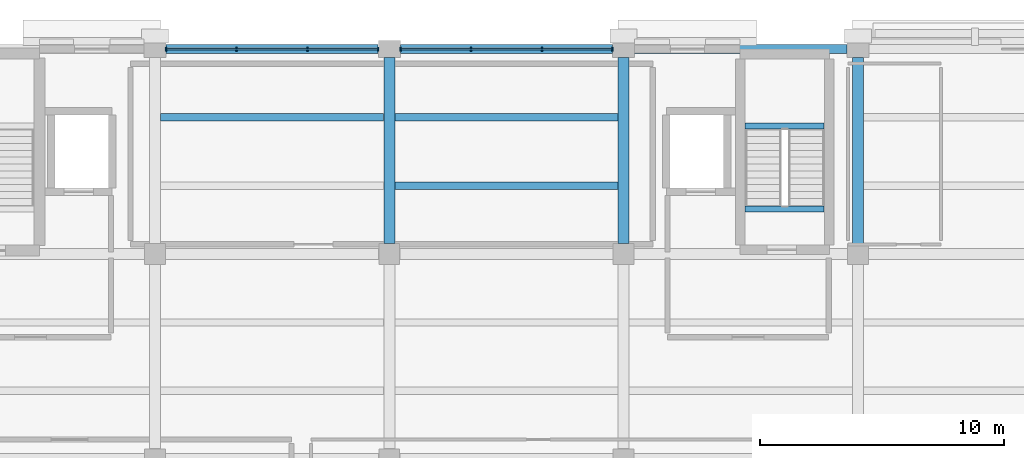
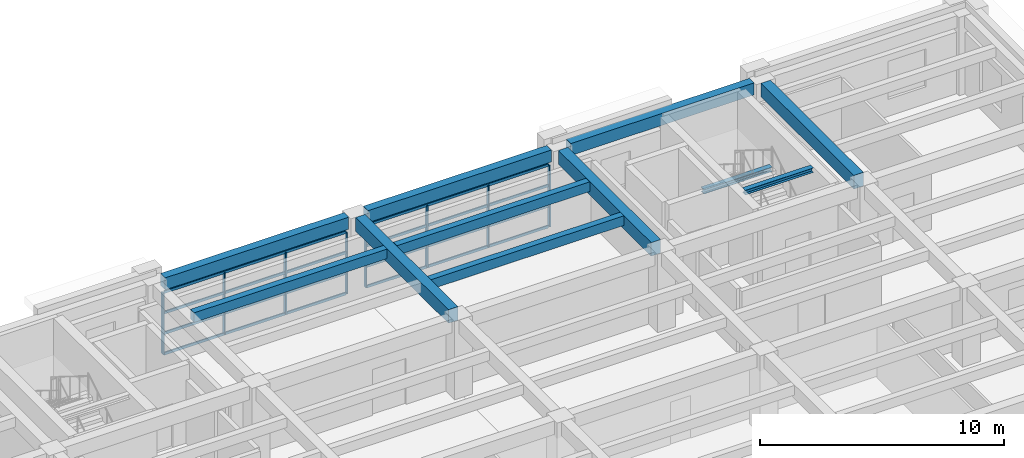
# One storey, part 4 of 17: 16 members, 11 beams, 2 elements without a shape of their own.
"""IFC4 building model written with IfcOpenShell, lengths in metres."""

from ifc_helpers import new_model, si_unit, direction, frame, origin, origin_2d, place, context, subcontext, project, spatial, rectangle, i_section, extrude, material, layer, layer_set, material_profile, profile_set, type_object, element, aggregate, save


model = new_model("IFC4")

# Units and contexts
model_context = context("Model", 3, precision=1e-05, world=origin(), true_north=direction((0.0, 1.0)))
body_context = subcontext(model_context, "Body", "Model", "MODEL_VIEW")
ifc_project = project(units=[si_unit("LENGTHUNIT", "METRE"), si_unit("AREAUNIT", "SQUARE_METRE"), si_unit("VOLUMEUNIT", "CUBIC_METRE"), si_unit("PLANEANGLEUNIT", "RADIAN"), si_unit("MASSUNIT", "GRAM", prefix="KILO")], contexts=[model_context])

# Site, building, storey
site_placement = place(None, origin())
site = spatial("IfcSite", under=ifc_project, at=site_placement, CompositionType="ELEMENT")
building_placement = place(site_placement, origin())
building = spatial("IfcBuilding", under=site, at=building_placement, Name="Bempovik Park Faculty of Sciences", CompositionType="ELEMENT")
storey_placement = place(building_placement, frame((0.0, 0.0, 22.5)))
storey = spatial("IfcBuildingStorey", under=building, at=storey_placement, Name="L05", CompositionType="ELEMENT", Elevation=22.5)

# Beams
ifc_material_1 = material(Name="Concrete C35/45", Category="concrete")
ifc_material_profile_1 = material_profile(ifc_material_1, rectangle(XDim=0.3798828125, YDim=0.60009765625, at=origin_2d()), Name="RC 380x600")
ifc_profile_set_1 = profile_set([ifc_material_profile_1], Name="Concrete C35/45")
beam_type_1 = type_object("IfcBeamType", Name="B-032 RC 380x600", PredefinedType="SPANDREL", material=ifc_profile_set_1)
for number, where, z_axis, x_axis, name in (
    (1, (79.656005859375, 119.39990234375, 3.6201171875), (1.0, 0.0, 0.0), (0.0, 1.0, 0.0), "L05 Beam X (79.2-88.8, y=119.4)"),
    (2, (89.256103515625, 119.39990234375, 3.6201171875), (1.0, 0.0, 0.0), (0.0, 1.0, 0.0), "L05 Beam X (88.8-98.4, y=119.4)"),
    (3, (98.85595703125, 119.39990234375, 3.6201171875), (1.0, 0.0, 0.0), (0.0, 1.0, 0.0), "L05 Beam X (98.4-108.0, y=119.4)"),
):
    element("IfcBeam", number, at=place(storey_placement, frame(where, z_axis=z_axis, x_axis=x_axis)), inside=storey, type_object=beam_type_1, Name=name, PredefinedType="SPANDREL", context=body_context, shape_type="SweptSolid", body=[
        extrude(rectangle(XDim=0.3798828125, YDim=0.60009765625, at=origin_2d()), origin(), (0.0, 0.0, 1.0), 8.68798828125),
    ])
ifc_material_profile_2 = material_profile(ifc_material_1, rectangle(XDim=0.300048828125, YDim=0.47998046875, at=origin_2d()), Name="RC 300x480")
ifc_profile_set_2 = profile_set([ifc_material_profile_2], Name="Concrete C35/45")
beam_type_2 = type_object("IfcBeamType", Name="B-039 RC 300x480", PredefinedType="JOIST", material=ifc_profile_set_2)
beam_placement = place(storey_placement, frame((79.430908203125, 116.60009765625, 3.679931640625), z_axis=(1.0, 0.0, 0.0), x_axis=(0.0, 1.0, 0.0)))
element("IfcBeam", 4, at=beam_placement, inside=storey, type_object=beam_type_2, Name="L05 Secondary Joist (79.2-88.8, y=116.60)", PredefinedType="JOIST", context=body_context, shape_type="SweptSolid", body=[
    extrude(rectangle(XDim=0.300048828125, YDim=0.47998046875, at=origin_2d()), origin(), (0.0, 0.0, 1.0), 9.13818359375),
])
for number, where, z_axis, x_axis, name in (
    (5, (89.031005859375, 113.800048828125, 3.679931640625), (1.0, 0.0, 0.0), (0.0, 1.0, 0.0), "L05 Secondary Joist (88.8-98.4, y=113.80)"),
    (6, (89.031005859375, 116.60009765625, 3.679931640625), (1.0, 0.0, 0.0), (0.0, 1.0, 0.0), "L05 Secondary Joist (88.8-98.4, y=116.60)"),
):
    element("IfcBeam", number, at=place(storey_placement, frame(where, z_axis=z_axis, x_axis=x_axis)), inside=storey, type_object=beam_type_2, Name=name, PredefinedType="JOIST", context=body_context, shape_type="SweptSolid", body=[
        extrude(rectangle(XDim=0.300048828125, YDim=0.47998046875, at=origin_2d()), origin(), (0.0, 0.0, 1.0), 9.137939453125),
    ])
ifc_material_2 = material(Name="Steel S355", Category="steel")
ifc_material_profile_3 = material_profile(ifc_material_2, i_section(OverallWidth=0.239990234375, OverallDepth=0.22998046875, WebThickness=0.007568359375, FlangeThickness=0.011962890625, at=origin_2d()), Name="HEA 240")
ifc_profile_set_3 = profile_set([ifc_material_profile_3], Name="Steel S355")
beam_type_3 = type_object("IfcBeamType", Name="B-070 HEA 240", PredefinedType="BEAM", material=ifc_profile_set_3)
for number, where, z_axis, x_axis, name in (
    (7, (103.381103515625, 116.24365234375, 1.784912109375), (1.0, 0.0, 0.0), (0.0, 1.0, 0.0), "L05 ST-2 Half-Landing Trimmer Beam"),
    (8, (103.381103515625, 112.85009765625, 3.804931640625), (1.0, 0.0, 0.0), (0.0, 1.0, 0.0), "L06 ST-2 Floor Landing Trimmer Beam"),
):
    element("IfcBeam", number, at=place(storey_placement, frame(where, z_axis=z_axis, x_axis=x_axis)), inside=storey, type_object=beam_type_3, Name=name, PredefinedType="BEAM", context=body_context, shape_type="SweptSolid", body=[
        extrude(i_section(OverallWidth=0.239990234375, OverallDepth=0.22998046875, WebThickness=0.007568359375, FlangeThickness=0.011962890625, at=origin_2d()), origin(), (0.0, 0.0, 1.0), 3.23779296875),
    ])
ifc_material_profile_4 = material_profile(ifc_material_1, rectangle(XDim=0.449951171875, YDim=0.679931640625, at=origin_2d()), Name="RC 450x680")
ifc_profile_set_4 = profile_set([ifc_material_profile_4], Name="Concrete C35/45")
beam_type_4 = type_object("IfcBeamType", Name="B-113 RC 450x680", PredefinedType="BEAM", material=ifc_profile_set_4)
for number, where, z_axis, x_axis, name in (
    (9, (88.800048828125, 111.430908203125, 3.580078125), (0.0, 1.0, 0.0), (-1.0, 0.0, 0.0), "L05 Beam Y (x=88.8, 111.0-119.4)"),
    (10, (98.39990234375, 111.430908203125, 3.580078125), (0.0, 1.0, 0.0), (-1.0, 0.0, 0.0), "L05 Beam Y (x=98.4, 111.0-119.4)"),
    (11, (108.0, 111.430908203125, 3.580078125), (0.0, 1.0, 0.0), (-1.0, 0.0, 0.0), "L05 Beam Y (x=108.0, 111.0-119.4)"),
):
    element("IfcBeam", number, at=place(storey_placement, frame(where, z_axis=z_axis, x_axis=x_axis)), inside=storey, type_object=beam_type_4, Name=name, PredefinedType="BEAM", context=body_context, shape_type="SweptSolid", body=[
        extrude(rectangle(XDim=0.449951171875, YDim=0.679931640625, at=origin_2d()), origin(), (0.0, 0.0, 1.0), 7.613037109375),
    ])

# Curtain wall, members
ifc_material_3 = material(Name="Tempered laminated low-E glass", Category="glass")
ifc_layer = layer(ifc_material_3, 0.159912109375)
ifc_layer_set = layer_set([ifc_layer], Name="Tempered laminated low-E glass")
curtain_wall_type = type_object("IfcCurtainWallType", Name="CW-24 Curtain 7000x3500", PredefinedType="USERDEFINED", material=ifc_layer_set)
curtain_wall_1_placement = place(storey_placement, origin())
curtain_wall_1 = element("IfcCurtainWall", 12, at=curtain_wall_1_placement, inside=storey, type_object=curtain_wall_type, Name="L05 Unitised Curtain Wall (119.4,79.2)", ObjectType="UNITISED CURTAIN WALL", PredefinedType="USERDEFINED")
ifc_material_4 = material(Name="Anodised architectural bronze", Category="aluminium")
ifc_material_profile_5 = material_profile(ifc_material_4, rectangle(XDim=0.06005859375, YDim=0.159912109375, at=origin_2d()), Name="ALU-M 60x160")
ifc_profile_set_5 = profile_set([ifc_material_profile_5], Name="Anodised architectural bronze")
member_type_1 = type_object("IfcMemberType", Name="ML-21 ALU-M 60x160", PredefinedType="MULLION", material=ifc_profile_set_5)
member_1_placement = place(storey_placement, frame((79.652099609375, 119.39990234375, 0.0), z_axis=(0.0, 0.0, 1.0), x_axis=(1.0, 0.0, 0.0)))
member_1 = element("IfcMember", 13, at=member_1_placement, type_object=member_type_1, Name="CW-BAY-L05-1194-792 Mullion 0", PredefinedType="MULLION", context=body_context, shape_type="SweptSolid", body=[
    extrude(rectangle(XDim=0.06005859375, YDim=0.159912109375, at=origin_2d()), origin(), (0.0, 0.0, 1.0), 3.080078125),
])
member_2_placement = place(storey_placement, frame((82.55078125, 119.39990234375, 0.0), z_axis=(0.0, 0.0, 1.0), x_axis=(1.0, 0.0, 0.0)))
member_2 = element("IfcMember", 14, at=member_2_placement, type_object=member_type_1, Name="CW-BAY-L05-1194-792 Mullion 1", PredefinedType="MULLION", context=body_context, shape_type="SweptSolid", body=[
    extrude(rectangle(XDim=0.06005859375, YDim=0.159912109375, at=origin_2d()), origin(), (0.0, 0.0, 1.0), 3.080078125),
])
member_3_placement = place(storey_placement, frame((85.44921875, 119.39990234375, 0.0), z_axis=(0.0, 0.0, 1.0), x_axis=(1.0, 0.0, 0.0)))
member_3 = element("IfcMember", 15, at=member_3_placement, type_object=member_type_1, Name="CW-BAY-L05-1194-792 Mullion 2", PredefinedType="MULLION", context=body_context, shape_type="SweptSolid", body=[
    extrude(rectangle(XDim=0.06005859375, YDim=0.159912109375, at=origin_2d()), origin(), (0.0, 0.0, 1.0), 3.080078125),
])
member_4_placement = place(storey_placement, frame((88.347900390625, 119.39990234375, 0.0), z_axis=(0.0, 0.0, 1.0), x_axis=(1.0, 0.0, 0.0)))
member_4 = element("IfcMember", 16, at=member_4_placement, type_object=member_type_1, Name="CW-BAY-L05-1194-792 Mullion 3", PredefinedType="MULLION", context=body_context, shape_type="SweptSolid", body=[
    extrude(rectangle(XDim=0.06005859375, YDim=0.159912109375, at=origin_2d()), origin(), (0.0, 0.0, 1.0), 3.080078125),
])

curtain_wall_2_placement = place(storey_placement, origin())
curtain_wall_2 = element("IfcCurtainWall", 17, at=curtain_wall_2_placement, inside=storey, type_object=curtain_wall_type, Name="L05 Unitised Curtain Wall (119.4,88.8)", ObjectType="UNITISED CURTAIN WALL", PredefinedType="USERDEFINED")
member_5_placement = place(storey_placement, frame((89.251953125, 119.39990234375, 0.0), z_axis=(0.0, 0.0, 1.0), x_axis=(1.0, 0.0, 0.0)))
member_5 = element("IfcMember", 18, at=member_5_placement, type_object=member_type_1, Name="CW-BAY-L05-1194-888 Mullion 0", PredefinedType="MULLION", context=body_context, shape_type="SweptSolid", body=[
    extrude(rectangle(XDim=0.06005859375, YDim=0.159912109375, at=origin_2d()), origin(), (0.0, 0.0, 1.0), 3.080078125),
])
member_6_placement = place(storey_placement, frame((92.150634765625, 119.39990234375, 0.0), z_axis=(0.0, 0.0, 1.0), x_axis=(1.0, 0.0, 0.0)))
member_6 = element("IfcMember", 19, at=member_6_placement, type_object=member_type_1, Name="CW-BAY-L05-1194-888 Mullion 1", PredefinedType="MULLION", context=body_context, shape_type="SweptSolid", body=[
    extrude(rectangle(XDim=0.06005859375, YDim=0.159912109375, at=origin_2d()), origin(), (0.0, 0.0, 1.0), 3.080078125),
])
member_7_placement = place(storey_placement, frame((95.04931640625, 119.39990234375, 0.0), z_axis=(0.0, 0.0, 1.0), x_axis=(1.0, 0.0, 0.0)))
member_7 = element("IfcMember", 20, at=member_7_placement, type_object=member_type_1, Name="CW-BAY-L05-1194-888 Mullion 2", PredefinedType="MULLION", context=body_context, shape_type="SweptSolid", body=[
    extrude(rectangle(XDim=0.06005859375, YDim=0.159912109375, at=origin_2d()), origin(), (0.0, 0.0, 1.0), 3.080078125),
])
member_8_placement = place(storey_placement, frame((97.947998046875, 119.39990234375, 0.0), z_axis=(0.0, 0.0, 1.0), x_axis=(1.0, 0.0, 0.0)))
member_8 = element("IfcMember", 21, at=member_8_placement, type_object=member_type_1, Name="CW-BAY-L05-1194-888 Mullion 3", PredefinedType="MULLION", context=body_context, shape_type="SweptSolid", body=[
    extrude(rectangle(XDim=0.06005859375, YDim=0.159912109375, at=origin_2d()), origin(), (0.0, 0.0, 1.0), 3.080078125),
])

# Member
ifc_material_profile_6 = material_profile(ifc_material_4, rectangle(XDim=0.06005859375, YDim=0.1298828125, at=origin_2d()), Name="ALU-T 60x130")
ifc_profile_set_6 = profile_set([ifc_material_profile_6], Name="Anodised architectural bronze")
member_type_2 = type_object("IfcMemberType", Name="TR-25 ALU-T 60x130", PredefinedType="USERDEFINED", material=ifc_profile_set_6)
member_9_placement = place(storey_placement, frame((79.69189453125, 119.39990234375, 0.0), z_axis=(1.0, 0.0, 0.0), x_axis=(0.0, 1.0, 0.0)))
member_9 = element("IfcMember", 22, at=member_9_placement, type_object=member_type_2, Name="CW-BAY-L05-1194-792 Transom 0", ObjectType="TRANSOM", PredefinedType="USERDEFINED", context=body_context, shape_type="SweptSolid", body=[
    extrude(rectangle(XDim=0.06005859375, YDim=0.1298828125, at=origin_2d()), origin(), (0.0, 0.0, 1.0), 8.6162109375),
])

member_10_placement = place(storey_placement, frame((79.69189453125, 119.39990234375, 1.026611328125), z_axis=(1.0, 0.0, 0.0), x_axis=(0.0, 1.0, 0.0)))
member_10 = element("IfcMember", 23, at=member_10_placement, type_object=member_type_2, Name="CW-BAY-L05-1194-792 Transom 1", ObjectType="TRANSOM", PredefinedType="USERDEFINED", context=body_context, shape_type="SweptSolid", body=[
    extrude(rectangle(XDim=0.06005859375, YDim=0.1298828125, at=origin_2d()), origin(), (0.0, 0.0, 1.0), 8.6162109375),
])

member_11_placement = place(storey_placement, frame((79.69189453125, 119.39990234375, 2.05322265625), z_axis=(1.0, 0.0, 0.0), x_axis=(0.0, 1.0, 0.0)))
member_11 = element("IfcMember", 24, at=member_11_placement, type_object=member_type_2, Name="CW-BAY-L05-1194-792 Transom 2", ObjectType="TRANSOM", PredefinedType="USERDEFINED", context=body_context, shape_type="SweptSolid", body=[
    extrude(rectangle(XDim=0.06005859375, YDim=0.1298828125, at=origin_2d()), origin(), (0.0, 0.0, 1.0), 8.6162109375),
])

member_12_placement = place(storey_placement, frame((79.69189453125, 119.39990234375, 3.080078125), z_axis=(1.0, 0.0, 0.0), x_axis=(0.0, 1.0, 0.0)))
member_12 = element("IfcMember", 25, at=member_12_placement, type_object=member_type_2, Name="CW-BAY-L05-1194-792 Transom 3", ObjectType="TRANSOM", PredefinedType="USERDEFINED", context=body_context, shape_type="SweptSolid", body=[
    extrude(rectangle(XDim=0.06005859375, YDim=0.1298828125, at=origin_2d()), origin(), (0.0, 0.0, 1.0), 8.6162109375),
])

aggregate(curtain_wall_1, [member_1, member_2, member_3, member_4, member_9, member_10, member_11, member_12])

member_13_placement = place(storey_placement, frame((89.2919921875, 119.39990234375, 0.0), z_axis=(1.0, 0.0, 0.0), x_axis=(0.0, 1.0, 0.0)))
member_13 = element("IfcMember", 26, at=member_13_placement, type_object=member_type_2, Name="CW-BAY-L05-1194-888 Transom 0", ObjectType="TRANSOM", PredefinedType="USERDEFINED", context=body_context, shape_type="SweptSolid", body=[
    extrude(rectangle(XDim=0.06005859375, YDim=0.1298828125, at=origin_2d()), origin(), (0.0, 0.0, 1.0), 8.615966796875),
])

member_14_placement = place(storey_placement, frame((89.2919921875, 119.39990234375, 1.026611328125), z_axis=(1.0, 0.0, 0.0), x_axis=(0.0, 1.0, 0.0)))
member_14 = element("IfcMember", 27, at=member_14_placement, type_object=member_type_2, Name="CW-BAY-L05-1194-888 Transom 1", ObjectType="TRANSOM", PredefinedType="USERDEFINED", context=body_context, shape_type="SweptSolid", body=[
    extrude(rectangle(XDim=0.06005859375, YDim=0.1298828125, at=origin_2d()), origin(), (0.0, 0.0, 1.0), 8.615966796875),
])

member_15_placement = place(storey_placement, frame((89.2919921875, 119.39990234375, 2.05322265625), z_axis=(1.0, 0.0, 0.0), x_axis=(0.0, 1.0, 0.0)))
member_15 = element("IfcMember", 28, at=member_15_placement, type_object=member_type_2, Name="CW-BAY-L05-1194-888 Transom 2", ObjectType="TRANSOM", PredefinedType="USERDEFINED", context=body_context, shape_type="SweptSolid", body=[
    extrude(rectangle(XDim=0.06005859375, YDim=0.1298828125, at=origin_2d()), origin(), (0.0, 0.0, 1.0), 8.615966796875),
])

member_16_placement = place(storey_placement, frame((89.2919921875, 119.39990234375, 3.080078125), z_axis=(1.0, 0.0, 0.0), x_axis=(0.0, 1.0, 0.0)))
member_16 = element("IfcMember", 29, at=member_16_placement, type_object=member_type_2, Name="CW-BAY-L05-1194-888 Transom 3", ObjectType="TRANSOM", PredefinedType="USERDEFINED", context=body_context, shape_type="SweptSolid", body=[
    extrude(rectangle(XDim=0.06005859375, YDim=0.1298828125, at=origin_2d()), origin(), (0.0, 0.0, 1.0), 8.615966796875),
])

aggregate(curtain_wall_2, [member_5, member_6, member_7, member_8, member_13, member_14, member_15, member_16])

save(model, "model.ifc")
